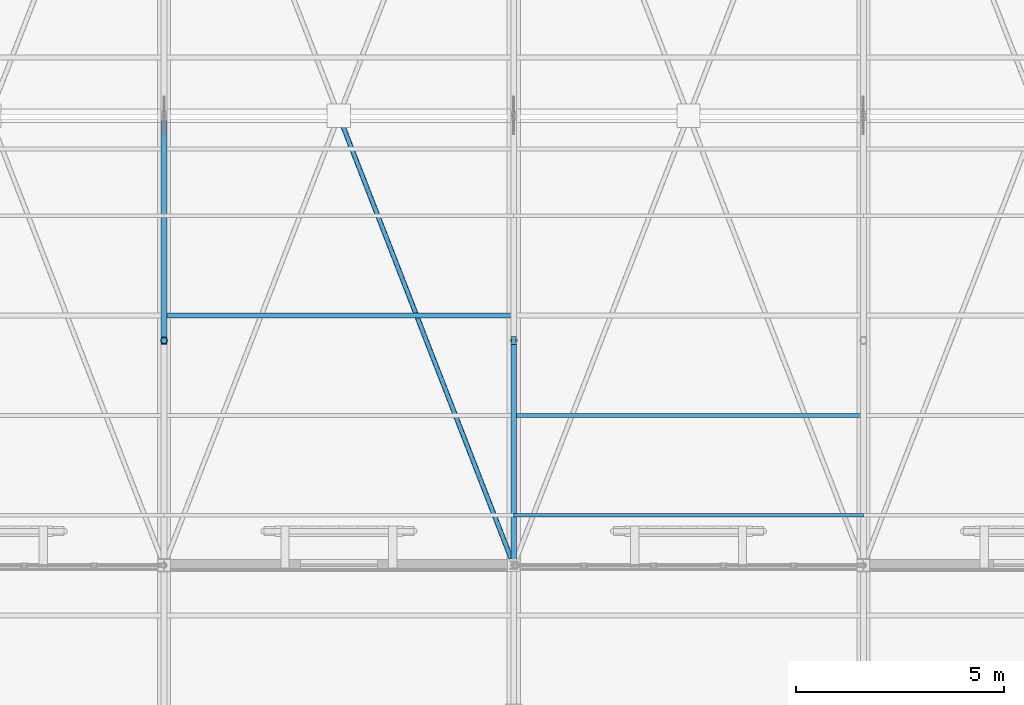
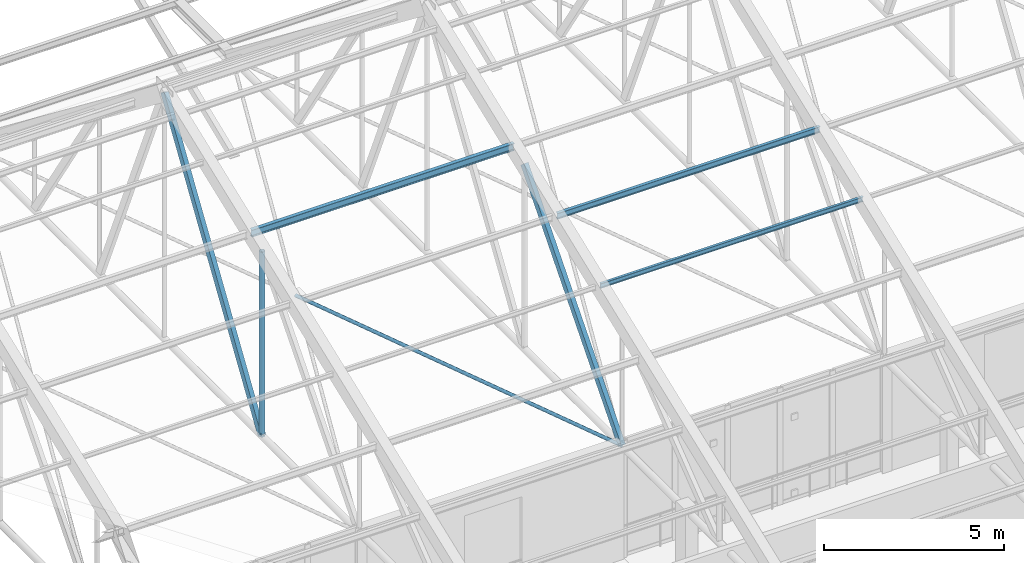
# One storey, part 92 of 217: 7 members.
"""IFC4 building model written with IfcOpenShell, lengths in metres."""

from ifc_helpers import new_model, si_unit, direction, frame, origin, origin_2d, place, context, subcontext, project, spatial, hollow_rectangle, hollow_circle, i_section, extrude, material, material_profile, profile_set, type_object, element, save


model = new_model("IFC4")

# Units and contexts
model_context = context("Model", 3, precision=1e-05, world=origin(), true_north=direction((0.0, 1.0)))
body_context = subcontext(model_context, "Body", "Model", "MODEL_VIEW")
ifc_project = project(units=[si_unit("LENGTHUNIT", "METRE"), si_unit("AREAUNIT", "SQUARE_METRE"), si_unit("VOLUMEUNIT", "CUBIC_METRE"), si_unit("PLANEANGLEUNIT", "RADIAN"), si_unit("MASSUNIT", "GRAM", prefix="KILO")], contexts=[model_context])

# Site, building, storey
site_placement = place(None, origin())
site = spatial("IfcSite", under=ifc_project, at=site_placement, CompositionType="ELEMENT")
building_placement = place(site_placement, origin())
building = spatial("IfcBuilding", under=site, at=building_placement, Name="Mazaris Harbour Polytechnic", CompositionType="ELEMENT")
storey_placement = place(building_placement, frame((0.0, 0.0, 9.60009765625)))
storey = spatial("IfcBuildingStorey", under=building, at=storey_placement, Name="L02", CompositionType="ELEMENT", Elevation=9.60009765625)

# Members
ifc_material_1 = material(Name="Steel S355", Category="steel")
ifc_material_profile_1 = material_profile(ifc_material_1, i_section(OverallWidth=0.08203125, OverallDepth=0.159912109375, WebThickness=0.0048828125, FlangeThickness=0.00732421875, FilletRadius=0.009033203125, at=origin_2d()), Name="IPE 160")
ifc_profile_set_1 = profile_set([ifc_material_profile_1], Name="Steel S355")
member_type_1 = type_object("IfcMemberType", Name="Steel Purlin IPE160", PredefinedType="PURLIN", material=ifc_profile_set_1)
member_1_placement = place(storey_placement, frame((87.60009765625, 87.60009765625, 8.43798828125), z_axis=(1.0, 0.0, 0.0), x_axis=(0.0, 1.0, 0.0)))
element("IfcMember", 1, at=member_1_placement, inside=storey, type_object=member_type_1, Name="V1 Roof Purlin S-93", PredefinedType="PURLIN", context=body_context, shape_type="SweptSolid", body=[
    extrude(i_section(OverallWidth=0.08203125, OverallDepth=0.159912109375, WebThickness=0.0048828125, FlangeThickness=0.00732421875, FilletRadius=0.009033203125, at=origin_2d()), origin(), (0.0, 0.0, 1.0), 8.39990234375),
])
ifc_material_2 = material(Name="Steel S355", Category="steel")
ifc_material_profile_2 = material_profile(ifc_material_2, i_section(OverallWidth=0.10009765625, OverallDepth=0.199951171875, WebThickness=0.005615234375, FlangeThickness=0.008544921875, FilletRadius=0.011962890625, at=origin_2d()), Name="IPE 200")
ifc_profile_set_2 = profile_set([ifc_material_profile_2], Name="Steel S355")
member_type_2 = type_object("IfcMemberType", Name="Steel Purlin IPE200", PredefinedType="PURLIN", material=ifc_profile_set_2)
member_2_placement = place(storey_placement, frame((87.60009765625, 90.0, 9.344970703125), z_axis=(1.0, 0.0, 0.0), x_axis=(0.0, 1.0, 0.0)))
element("IfcMember", 2, at=member_2_placement, inside=storey, type_object=member_type_2, Name="V1 Roof Purlin S-94", PredefinedType="PURLIN", context=body_context, shape_type="SweptSolid", body=[
    extrude(i_section(OverallWidth=0.10009765625, OverallDepth=0.199951171875, WebThickness=0.005615234375, FlangeThickness=0.008544921875, FilletRadius=0.011962890625, at=origin_2d()), origin(), (0.0, 0.0, 1.0), 8.39990234375),
])
ifc_material_3 = material(Name="Steel S355", Category="steel")
ifc_material_profile_3 = material_profile(ifc_material_3, i_section(OverallWidth=0.1201171875, OverallDepth=0.239990234375, WebThickness=0.006103515625, FlangeThickness=0.009765625, FilletRadius=0.014892578125, at=origin_2d()), Name="IPE 240")
ifc_profile_set_3 = profile_set([ifc_material_profile_3], Name="Steel S355")
member_type_3 = type_object("IfcMemberType", Name="Steel Purlin IPE240", PredefinedType="PURLIN", material=ifc_profile_set_3)
member_3_placement = place(storey_placement, frame((79.199951171875, 92.39990234375, 10.251220703125), z_axis=(1.0, 0.0, 0.0), x_axis=(0.0, 1.0, 0.0)))
element("IfcMember", 3, at=member_3_placement, inside=storey, type_object=member_type_3, Name="V1 Roof Purlin S-74", PredefinedType="PURLIN", context=body_context, shape_type="SweptSolid", body=[
    extrude(i_section(OverallWidth=0.1201171875, OverallDepth=0.239990234375, WebThickness=0.006103515625, FlangeThickness=0.009765625, FilletRadius=0.014892578125, at=origin_2d()), origin(), (0.0, 0.0, 1.0), 8.400146484375),
])
ifc_material_4 = material(Name="Steel S355", Category="steel")
ifc_material_profile_4 = material_profile(ifc_material_4, hollow_rectangle(XDim=0.139892578125, YDim=0.239990234375, WallThickness=0.010009765625, at=origin_2d()), Name="RHS 140x240x10.0")
ifc_profile_set_4 = profile_set([ifc_material_profile_4], Name="Steel S355")
member_type_4 = type_object("IfcMemberType", Name="Steel Truss Diagonal RHS140x240", PredefinedType="BRACE", material=ifc_profile_set_4)
member_4_placement = place(storey_placement, frame((79.199951171875, 91.800048828125, 3.75), z_axis=(0.0, 0.543042568824, 0.839705167571), x_axis=(-1.0, 0.0, 0.0)))
element("IfcMember", 4, at=member_4_placement, inside=storey, type_object=member_type_4, Name="Truss 4 Web Diagonal S4", PredefinedType="BRACE", context=body_context, shape_type="SweptSolid", body=[
    extrude(hollow_rectangle(XDim=0.139892578125, YDim=0.239990234375, WallThickness=0.010009765625, at=origin_2d()), origin(), (0.0, 0.0, 1.0), 9.94384765625),
])
member_5_placement = place(storey_placement, frame((87.60009765625, 86.39990234375, 3.75), z_axis=(0.0, 0.653042406465, 0.757321342205), x_axis=(-1.0, 0.0, 0.0)))
element("IfcMember", 5, at=member_5_placement, inside=storey, type_object=member_type_4, Name="Truss 5 Web Diagonal S3", PredefinedType="BRACE", context=body_context, shape_type="SweptSolid", body=[
    extrude(hollow_rectangle(XDim=0.139892578125, YDim=0.239990234375, WallThickness=0.010009765625, at=origin_2d()), origin(), (0.0, 0.0, 1.0), 8.269287109375),
])
ifc_material_5 = material(Name="Steel S355", Category="steel")
ifc_material_profile_5 = material_profile(ifc_material_5, hollow_circle(Radius=0.084228515625, WallThickness=0.008056640625, at=origin_2d()), Name="CHS 168.3x8.0")
ifc_profile_set_5 = profile_set([ifc_material_profile_5], Name="Steel S355")
member_type_5 = type_object("IfcMemberType", Name="Steel Truss Strut CHS168", PredefinedType="STRUT", material=ifc_profile_set_5)
member_6_placement = place(storey_placement, frame((79.199951171875, 91.800048828125, 3.75), z_axis=(0.0, 0.0, 1.0), x_axis=(1.0, 0.0, 0.0)))
element("IfcMember", 6, at=member_6_placement, inside=storey, type_object=member_type_5, Name="Truss 4 Web Post S3", PredefinedType="STRUT", context=body_context, shape_type="SweptSolid", body=[
    extrude(hollow_circle(Radius=0.084228515625, WallThickness=0.008056640625, at=origin_2d()), origin(), (0.0, 0.0, 1.0), 6.262451171875),
])
ifc_material_6 = material(Name="Steel S355", Category="steel")
ifc_material_profile_6 = material_profile(ifc_material_6, hollow_circle(Radius=0.05712890625, WallThickness=0.00634765625, at=origin_2d()), Name="CHS 114.3x6.3")
ifc_profile_set_6 = profile_set([ifc_material_profile_6], Name="Steel S355")
member_type_6 = type_object("IfcMemberType", Name="Steel Wind Brace CHS114", PredefinedType="BRACE", material=ifc_profile_set_6)
member_7_placement = place(storey_placement, frame((83.39990234375, 97.199951171875, 3.75), z_axis=(0.362459478245, -0.931999531454, 0.0), x_axis=(0.931999531454, 0.362459478245, 0.0)))
element("IfcMember", 7, at=member_7_placement, inside=storey, type_object=member_type_6, Name="V1 Split Roof Wind Brace 4B2", PredefinedType="BRACE", context=body_context, shape_type="SweptSolid", body=[
    extrude(hollow_circle(Radius=0.05712890625, WallThickness=0.00634765625, at=origin_2d()), origin(), (0.0, 0.0, 1.0), 11.588134765625),
])

save(model, "model.ifc")
